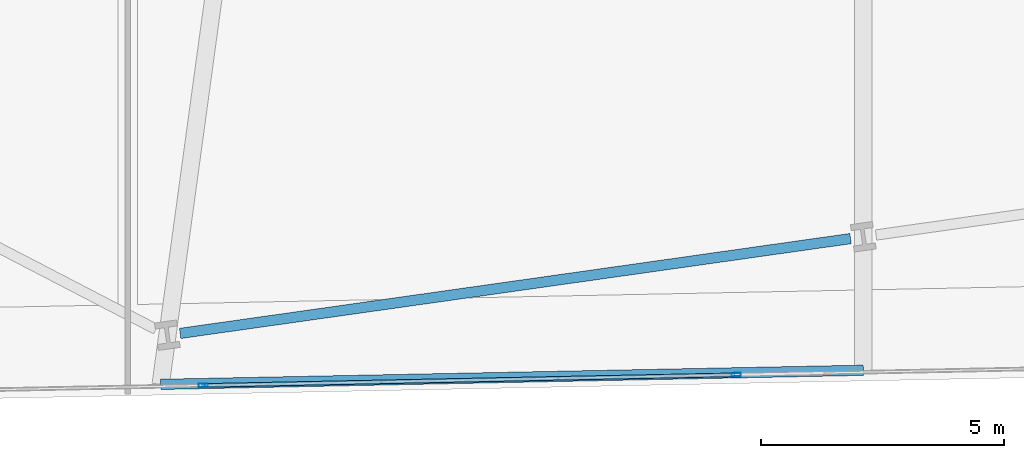
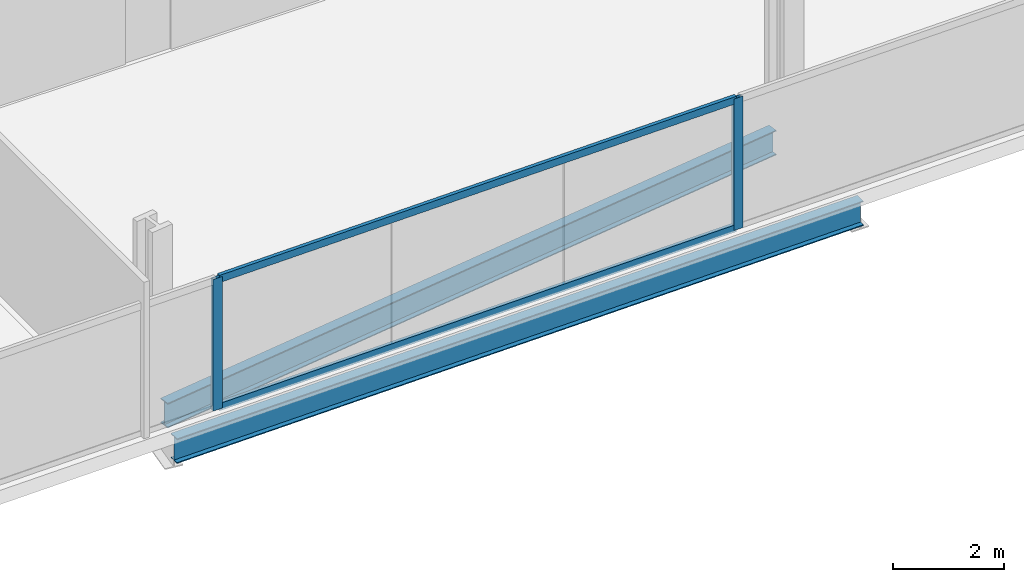
# One storey, part 6 of 35: 4 members, 2 beams, 1 element without a shape of its own.
"""IFC4 building model written with IfcOpenShell, lengths in metres."""

from ifc_helpers import new_model, si_unit, direction, frame, origin, origin_2d, place, context, subcontext, project, spatial, hollow_rectangle, i_section, extrude, material, material_profile, profile_set, type_object, element, aggregate, save


model = new_model("IFC4")

# Units and contexts
model_context = context("Model", 3, precision=1e-05, world=origin(), true_north=direction((0.0, 1.0)))
body_context = subcontext(model_context, "Body", "Model", "MODEL_VIEW")
ifc_project = project(units=[si_unit("LENGTHUNIT", "METRE"), si_unit("AREAUNIT", "SQUARE_METRE"), si_unit("VOLUMEUNIT", "CUBIC_METRE"), si_unit("PLANEANGLEUNIT", "RADIAN"), si_unit("MASSUNIT", "GRAM", prefix="KILO")], contexts=[model_context])

# Site, building, storey
site_placement = place(None, origin())
site = spatial("IfcSite", under=ifc_project, at=site_placement, CompositionType="ELEMENT")
building_placement = place(site_placement, origin())
building = spatial("IfcBuilding", under=site, at=building_placement, Name="Haldenkirk Collegiate Tower", CompositionType="ELEMENT")
storey_placement = place(building_placement, frame((0.0, 0.0, 32.699951171875)))
storey = spatial("IfcBuildingStorey", under=building, at=storey_placement, Name="L06", CompositionType="ELEMENT", Elevation=32.699951171875)

# Beams
ifc_material_1 = material(Name="Steel ASTM A992 Grade 50", Category="steel")
ifc_material_profile_1 = material_profile(ifc_material_1, i_section(OverallWidth=0.2119140625, OverallDepth=0.5439453125, WebThickness=0.01318359375, FlangeThickness=0.021240234375, at=origin_2d()), Name="W21X83")
ifc_profile_set_1 = profile_set([ifc_material_profile_1], Name="Steel ASTM A992 Grade 50")
beam_type = type_object("IfcBeamType", Name="BM-SPANDREL-W21X83", PredefinedType="SPANDREL", material=ifc_profile_set_1)
beam_1_placement = place(storey_placement, frame((25.076904296875, 2.0341796875, -0.58203125), z_axis=(0.990146197746, 0.14003752029, 0.0), x_axis=(-0.14003752029, 0.990146197746, 0.0)))
element("IfcBeam", 1, at=beam_1_placement, inside=storey, type_object=beam_type, Name="L06 perimeter spandrel beam 02", PredefinedType="SPANDREL", context=body_context, shape_type="SweptSolid", body=[
    extrude(i_section(OverallWidth=0.2119140625, OverallDepth=0.5439453125, WebThickness=0.01318359375, FlangeThickness=0.021240234375, at=origin_2d()), origin(), (0.0, 0.0, 1.0), 13.906982421875),
])
beam_2_placement = place(storey_placement, frame((24.67724609375, 0.98779296875, -0.58203125), z_axis=(0.999798786562, 0.020059570998, 0.0), x_axis=(-0.020059570998, 0.999798786562, 0.0)))
element("IfcBeam", 2, at=beam_2_placement, inside=storey, type_object=beam_type, Name="L06 outer facade edge beam 1", PredefinedType="SPANDREL", context=body_context, shape_type="SweptSolid", body=[
    extrude(i_section(OverallWidth=0.2119140625, OverallDepth=0.5439453125, WebThickness=0.01318359375, FlangeThickness=0.021240234375, at=origin_2d()), origin(), (0.0, 0.0, 1.0), 14.4345703125),
])

# Curtain wall, members
ifc_material_2 = material(Name="Anodised architectural bronze aluminium", Category="aluminium")
curtain_wall_type = type_object("IfcCurtainWallType", Name="CW-SYS2-CONCAVE", PredefinedType="USERDEFINED", material=ifc_material_2)
curtain_wall_placement = place(storey_placement, origin())
curtain_wall = element("IfcCurtainWall", 3, at=curtain_wall_placement, inside=storey, type_object=curtain_wall_type, Name="L06 South concave recessed bronze-anodised curtain wall", ObjectType="UNITISED CURTAIN WALL", PredefinedType="USERDEFINED")
ifc_material_profile_2 = material_profile(ifc_material_2, hollow_rectangle(XDim=0.074951171875, YDim=0.18994140625, WallThickness=0.0048828125, at=origin_2d()), Name="CW-MUL-02")
ifc_profile_set_2 = profile_set([ifc_material_profile_2], Name="Anodised architectural bronze aluminium")
member_type_1 = type_object("IfcMemberType", Name="CW-MUL-02", PredefinedType="MULLION", material=ifc_profile_set_2)
member_1_placement = place(storey_placement, frame((36.498046875, 1.18505859375, 0.0), z_axis=(0.0, 0.0, 1.0), x_axis=(0.020068437719, -0.999798608625, 0.0)))
member_1 = element("IfcMember", 4, at=member_1_placement, type_object=member_type_1, Name="CW-02 mullion 3", PredefinedType="MULLION", context=body_context, shape_type="SweptSolid", body=[
    extrude(hollow_rectangle(XDim=0.074951171875, YDim=0.18994140625, WallThickness=0.0048828125, at=origin_2d()), origin(), (0.0, 0.0, 1.0), 2.89111328125),
])
member_2_placement = place(storey_placement, frame((25.55029296875, 0.96533203125, 0.0), z_axis=(0.0, 0.0, 1.0), x_axis=(0.020068437719, -0.999798608625, 0.0)))
member_2 = element("IfcMember", 5, at=member_2_placement, type_object=member_type_1, Name="CW-02 mullion 4", PredefinedType="MULLION", context=body_context, shape_type="SweptSolid", body=[
    extrude(hollow_rectangle(XDim=0.074951171875, YDim=0.18994140625, WallThickness=0.0048828125, at=origin_2d()), origin(), (0.0, 0.0, 1.0), 2.89111328125),
])
ifc_material_profile_3 = material_profile(ifc_material_2, hollow_rectangle(XDim=0.074951171875, YDim=0.159912109375, WallThickness=0.0048828125, at=origin_2d()), Name="CW-TRN-02")
ifc_profile_set_3 = profile_set([ifc_material_profile_3], Name="Anodised architectural bronze aluminium")
member_type_2 = type_object("IfcMemberType", Name="CW-TRN-02", PredefinedType="USERDEFINED", material=ifc_profile_set_3)
member_3_placement = place(storey_placement, frame((36.460693359375, 1.184326171875, 0.03759765625), z_axis=(-0.999798576148, -0.020070055621, 0.0), x_axis=(0.020070055621, -0.999798576148, 0.0)))
member_3 = element("IfcMember", 6, at=member_3_placement, type_object=member_type_2, Name="CW-02 transom 3.1", ObjectType="TRANSOM", PredefinedType="USERDEFINED", context=body_context, shape_type="SweptSolid", body=[
    extrude(hollow_rectangle(XDim=0.074951171875, YDim=0.159912109375, WallThickness=0.0048828125, at=origin_2d()), origin(), (0.0, 0.0, 1.0), 10.875),
])
member_4_placement = place(storey_placement, frame((36.460693359375, 1.184326171875, 2.853515625), z_axis=(-0.999798576148, -0.020070055621, 0.0), x_axis=(0.020070055621, -0.999798576148, 0.0)))
member_4 = element("IfcMember", 7, at=member_4_placement, type_object=member_type_2, Name="CW-02 transom 3.2", ObjectType="TRANSOM", PredefinedType="USERDEFINED", context=body_context, shape_type="SweptSolid", body=[
    extrude(hollow_rectangle(XDim=0.074951171875, YDim=0.159912109375, WallThickness=0.0048828125, at=origin_2d()), origin(), (0.0, 0.0, 1.0), 10.875),
])
aggregate(curtain_wall, [member_1, member_2, member_3, member_4])

save(model, "model.ifc")
